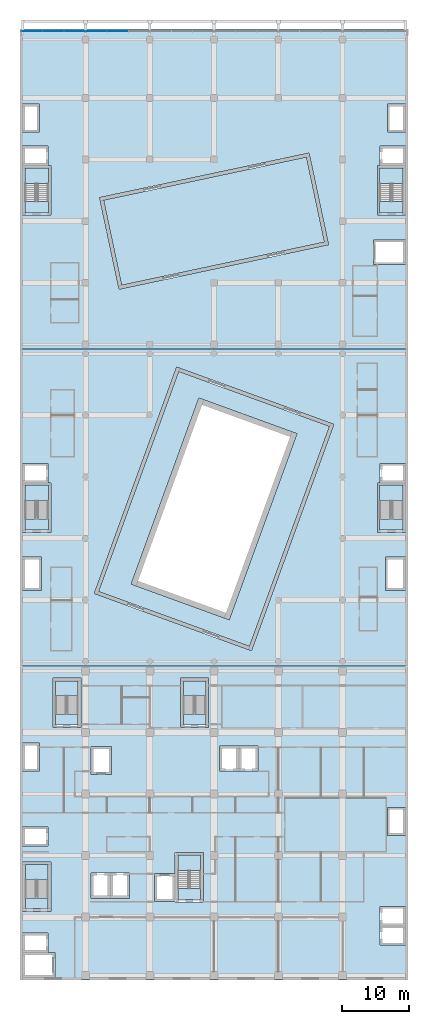
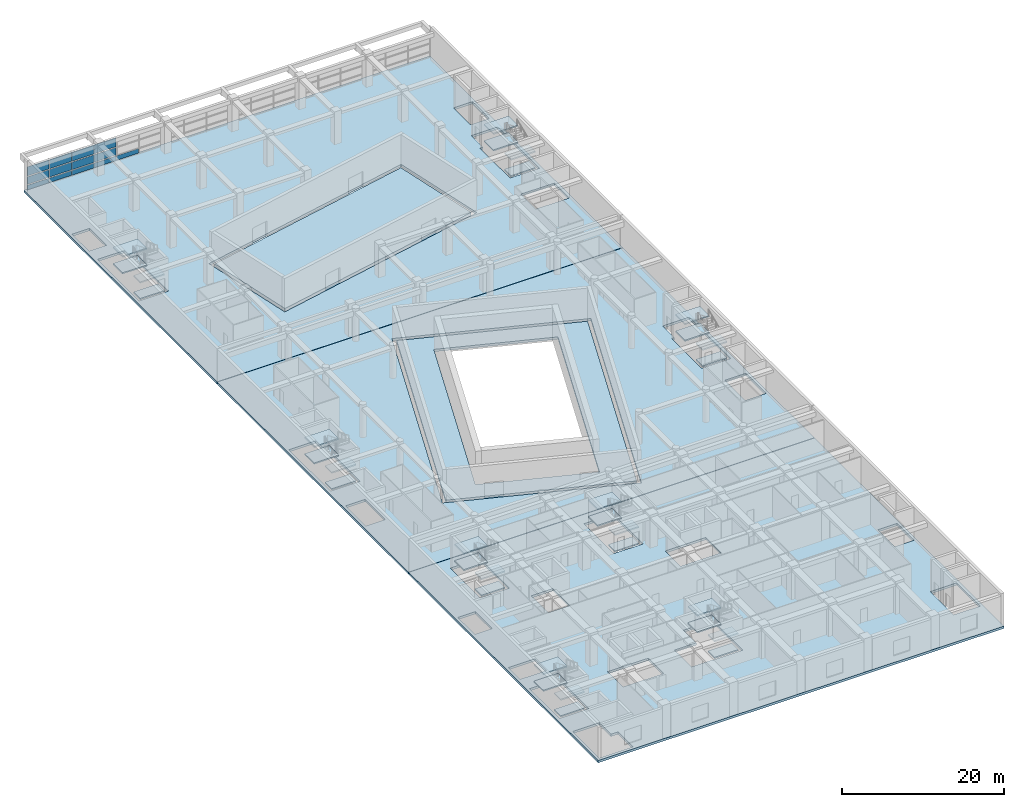
# One storey, part 7 of 31: 37 slabs, 13 plates, 9 elements without a shape of their own.
"""IFC4 building model written with IfcOpenShell, lengths in metres."""

from ifc_helpers import new_model, si_unit, direction, frame, origin, origin_2d, place, context, subcontext, project, spatial, polyline, rectangle, outline, extrude, material, layer, layer_set, type_object, element, aggregate, save


model = new_model("IFC4")

# Units and contexts
model_context = context("Model", 3, precision=1e-05, world=origin(), true_north=direction((0.0, 1.0)))
body_context = subcontext(model_context, "Body", "Model", "MODEL_VIEW")
ifc_project = project(units=[si_unit("LENGTHUNIT", "METRE"), si_unit("AREAUNIT", "SQUARE_METRE"), si_unit("VOLUMEUNIT", "CUBIC_METRE"), si_unit("PLANEANGLEUNIT", "RADIAN"), si_unit("MASSUNIT", "GRAM", prefix="KILO")], contexts=[model_context])

# Site, building, storey
site_placement = place(None, origin())
site = spatial("IfcSite", under=ifc_project, at=site_placement, CompositionType="ELEMENT")
building_placement = place(site_placement, origin())
building = spatial("IfcBuilding", under=site, at=building_placement, Name="Nzadi Deep Aquarium and Research Tower", CompositionType="ELEMENT")
storey_placement = place(building_placement, frame((0.0, 0.0, 21.699951171875)))
storey = spatial("IfcBuildingStorey", under=building, at=storey_placement, Name="L03", CompositionType="ELEMENT", Elevation=21.699951171875)

# Curtain wall, plates
ifc_material_1 = material(Name="Aluminium unitised frame tall span", Category="aluminium")
ifc_layer_1 = layer(ifc_material_1, 0.35009765625)
ifc_layer_set_1 = layer_set([ifc_layer_1], Name="Aluminium unitised frame tall span")
curtain_wall_type = type_object("IfcCurtainWallType", Name="Curtain wall Podium 350", PredefinedType="NOTDEFINED", material=ifc_layer_set_1)
curtain_wall_placement = place(storey_placement, origin())
curtain_wall = element("IfcCurtainWall", 1, at=curtain_wall_placement, inside=storey, type_object=curtain_wall_type, Name="North cascade curtain wall L03", PredefinedType="NOTDEFINED")
ifc_material_2 = material(Name="Glass, clear low-iron", Category="glass")
ifc_layer_2 = layer(ifc_material_2, 0.0400390625)
ifc_layer_set_2 = layer_set([ifc_layer_2], Name="Glass, clear low-iron")
plate_type_1 = type_object("IfcPlateType", Name="Glazing panel 40 Podium", PredefinedType="CURTAIN_PANEL", material=ifc_layer_set_2)
plate_1_placement = place(storey_placement, frame((1.614990234375, 141.574951171875, 0.97021484375), z_axis=(0.0, 0.0, 1.0), x_axis=(1.0, 0.0, 0.0)))
plate_1 = element("IfcPlate", 2, at=plate_1_placement, type_object=plate_type_1, Name="CW255 panel 1.2", PredefinedType="CURTAIN_PANEL", context=body_context, shape_type="SweptSolid", body=[
    extrude(rectangle(XDim=3.110107421875, YDim=0.0400390625, at=origin_2d()), origin(), (0.0, 0.0, 1.0), 1.135009765625),
])
plate_2_placement = place(storey_placement, frame((1.614990234375, 141.574951171875, 2.2451171875), z_axis=(0.0, 0.0, 1.0), x_axis=(1.0, 0.0, 0.0)))
plate_2 = element("IfcPlate", 3, at=plate_2_placement, type_object=plate_type_1, Name="CW255 panel 1.3", PredefinedType="CURTAIN_PANEL", context=body_context, shape_type="SweptSolid", body=[
    extrude(rectangle(XDim=3.110107421875, YDim=0.0400390625, at=origin_2d()), origin(), (0.0, 0.0, 1.0), 1.364990234375),
])
ifc_material_3 = material(Name="Glass, deep ocean tint", Category="glass")
ifc_layer_3 = layer(ifc_material_3, 0.0400390625)
ifc_layer_set_3 = layer_set([ifc_layer_3], Name="Glass, deep ocean tint")
plate_type_2 = type_object("IfcPlateType", Name="Glazing panel 40 Podium water-tinted", PredefinedType="CURTAIN_PANEL", material=ifc_layer_set_3)
plate_3_placement = place(storey_placement, frame((4.800048828125, 141.574951171875, 0.97021484375), z_axis=(0.0, 0.0, 1.0), x_axis=(1.0, 0.0, 0.0)))
plate_3 = element("IfcPlate", 4, at=plate_3_placement, type_object=plate_type_2, Name="CW255 panel 2.2", PredefinedType="CURTAIN_PANEL", context=body_context, shape_type="SweptSolid", body=[
    extrude(rectangle(XDim=3.139892578125, YDim=0.0400390625, at=origin_2d()), origin(), (0.0, 0.0, 1.0), 1.135009765625),
])
plate_4_placement = place(storey_placement, frame((4.800048828125, 141.574951171875, 2.2451171875), z_axis=(0.0, 0.0, 1.0), x_axis=(1.0, 0.0, 0.0)))
plate_4 = element("IfcPlate", 5, at=plate_4_placement, type_object=plate_type_2, Name="CW255 panel 2.3", PredefinedType="CURTAIN_PANEL", context=body_context, shape_type="SweptSolid", body=[
    extrude(rectangle(XDim=3.139892578125, YDim=0.0400390625, at=origin_2d()), origin(), (0.0, 0.0, 1.0), 1.364990234375),
])
plate_5_placement = place(storey_placement, frame((8.0, 141.574951171875, 0.97021484375), z_axis=(0.0, 0.0, 1.0), x_axis=(1.0, 0.0, 0.0)))
plate_5 = element("IfcPlate", 6, at=plate_5_placement, type_object=plate_type_2, Name="CW255 panel 3.2", PredefinedType="CURTAIN_PANEL", context=body_context, shape_type="SweptSolid", body=[
    extrude(rectangle(XDim=3.139892578125, YDim=0.0400390625, at=origin_2d()), origin(), (0.0, 0.0, 1.0), 1.135009765625),
])
plate_6_placement = place(storey_placement, frame((8.0, 141.574951171875, 2.2451171875), z_axis=(0.0, 0.0, 1.0), x_axis=(1.0, 0.0, 0.0)))
plate_6 = element("IfcPlate", 7, at=plate_6_placement, type_object=plate_type_2, Name="CW255 panel 3.3", PredefinedType="CURTAIN_PANEL", context=body_context, shape_type="SweptSolid", body=[
    extrude(rectangle(XDim=3.139892578125, YDim=0.0400390625, at=origin_2d()), origin(), (0.0, 0.0, 1.0), 1.364990234375),
])
plate_7_placement = place(storey_placement, frame((11.199951171875, 141.574951171875, 0.97021484375), z_axis=(0.0, 0.0, 1.0), x_axis=(1.0, 0.0, 0.0)))
plate_7 = element("IfcPlate", 8, at=plate_7_placement, type_object=plate_type_2, Name="CW255 panel 4.2", PredefinedType="CURTAIN_PANEL", context=body_context, shape_type="SweptSolid", body=[
    extrude(rectangle(XDim=3.139892578125, YDim=0.0400390625, at=origin_2d()), origin(), (0.0, 0.0, 1.0), 1.135009765625),
])
plate_8_placement = place(storey_placement, frame((11.199951171875, 141.574951171875, 2.2451171875), z_axis=(0.0, 0.0, 1.0), x_axis=(1.0, 0.0, 0.0)))
plate_8 = element("IfcPlate", 9, at=plate_8_placement, type_object=plate_type_2, Name="CW255 panel 4.3", PredefinedType="CURTAIN_PANEL", context=body_context, shape_type="SweptSolid", body=[
    extrude(rectangle(XDim=3.139892578125, YDim=0.0400390625, at=origin_2d()), origin(), (0.0, 0.0, 1.0), 1.364990234375),
])

# Stair, slabs
ifc_material_4 = material(Name="Concrete C35/45", Category="concrete")
stair_type = type_object("IfcStairType", Name="STAIR RETURN 3000", PredefinedType="NOTDEFINED", material=ifc_material_4)
stair_1_placement = place(storey_placement, origin())
stair_1 = element("IfcStair", 10, at=stair_1_placement, inside=storey, type_object=stair_type, Name="Stair ST-Z1-SW L03", PredefinedType="DOUBLE_RETURN_STAIR")
ifc_material_5 = material(Name="Concrete C35/45", Category="concrete")
ifc_layer_4 = layer(ifc_material_5, 0.199951171875)
ifc_layer_set_4 = layer_set([ifc_layer_4], Name="Concrete C35/45")
slab_type_1 = type_object("IfcSlabType", Name="LANDING 200", PredefinedType="LANDING", material=ifc_layer_set_4)
slab_1_placement = place(storey_placement, frame((0.0, 0.0, -0.199951171875)))
slab_1 = element("IfcSlab", 11, at=slab_1_placement, type_object=slab_type_1, Name="ST-Z1-SW landing 1", PredefinedType="LANDING", context=body_context, shape_type="SweptSolid", body=[
    extrude(outline(polyline([(0.60009765625, 10.449951171875), (4.0, 10.449951171875), (4.0, 12.070068359375), (0.60009765625, 12.070068359375), (0.60009765625, 10.449951171875)])), origin(), (0.0, 0.0, 1.0), 0.199951171875),
])
slab_2_placement = place(storey_placement, frame((0.0, 0.0, 1.050048828125)))
slab_2 = element("IfcSlab", 12, at=slab_2_placement, type_object=slab_type_1, Name="ST-Z1-SW landing 2", PredefinedType="LANDING", context=body_context, shape_type="SweptSolid", body=[
    extrude(outline(polyline([(0.60009765625, 14.77001953125), (4.0, 14.77001953125), (4.0, 17.050048828125), (0.60009765625, 17.050048828125), (0.60009765625, 14.77001953125)])), origin(), (0.0, 0.0, 1.0), 0.199951171875),
])
slab_3_placement = place(storey_placement, frame((0.0, 0.0, 2.300048828125)))
slab_3 = element("IfcSlab", 13, at=slab_3_placement, type_object=slab_type_1, Name="ST-Z1-SW landing 3", PredefinedType="LANDING", context=body_context, shape_type="SweptSolid", body=[
    extrude(outline(polyline([(0.60009765625, 10.449951171875), (4.0, 10.449951171875), (4.0, 12.070068359375), (0.60009765625, 12.070068359375), (0.60009765625, 10.449951171875)])), origin(), (0.0, 0.0, 1.0), 0.199951171875),
])
slab_4_placement = place(storey_placement, frame((0.0, 0.0, 3.550048828125)))
slab_4 = element("IfcSlab", 14, at=slab_4_placement, type_object=slab_type_1, Name="ST-Z1-SW landing 4", PredefinedType="LANDING", context=body_context, shape_type="SweptSolid", body=[
    extrude(outline(polyline([(0.60009765625, 14.77001953125), (4.0, 14.77001953125), (4.0, 17.050048828125), (0.60009765625, 17.050048828125), (0.60009765625, 14.77001953125)])), origin(), (0.0, 0.0, 1.0), 0.199951171875),
])
aggregate(stair_1, [slab_1, slab_2, slab_3, slab_4])

stair_2_placement = place(storey_placement, origin())
stair_2 = element("IfcStair", 15, at=stair_2_placement, inside=storey, type_object=stair_type, Name="Stair ST-Z1-SE L03", PredefinedType="DOUBLE_RETURN_STAIR")
slab_5_placement = place(storey_placement, frame((0.0, 0.0, -0.199951171875)))
slab_5 = element("IfcSlab", 16, at=slab_5_placement, type_object=slab_type_1, Name="ST-Z1-SE landing 1", PredefinedType="LANDING", context=body_context, shape_type="SweptSolid", body=[
    extrude(outline(polyline([(23.39990234375, 11.85009765625), (26.800048828125, 11.85009765625), (26.800048828125, 13.469970703125), (23.39990234375, 13.469970703125), (23.39990234375, 11.85009765625)])), origin(), (0.0, 0.0, 1.0), 0.199951171875),
])
slab_6_placement = place(storey_placement, frame((0.0, 0.0, 1.050048828125)))
slab_6 = element("IfcSlab", 17, at=slab_6_placement, type_object=slab_type_1, Name="ST-Z1-SE landing 2", PredefinedType="LANDING", context=body_context, shape_type="SweptSolid", body=[
    extrude(outline(polyline([(23.39990234375, 16.169921875), (26.800048828125, 16.169921875), (26.800048828125, 18.449951171875), (23.39990234375, 18.449951171875), (23.39990234375, 16.169921875)])), origin(), (0.0, 0.0, 1.0), 0.199951171875),
])
slab_7_placement = place(storey_placement, frame((0.0, 0.0, 2.300048828125)))
slab_7 = element("IfcSlab", 18, at=slab_7_placement, type_object=slab_type_1, Name="ST-Z1-SE landing 3", PredefinedType="LANDING", context=body_context, shape_type="SweptSolid", body=[
    extrude(outline(polyline([(23.39990234375, 11.85009765625), (26.800048828125, 11.85009765625), (26.800048828125, 13.469970703125), (23.39990234375, 13.469970703125), (23.39990234375, 11.85009765625)])), origin(), (0.0, 0.0, 1.0), 0.199951171875),
])
slab_8_placement = place(storey_placement, frame((0.0, 0.0, 3.550048828125)))
slab_8 = element("IfcSlab", 19, at=slab_8_placement, type_object=slab_type_1, Name="ST-Z1-SE landing 4", PredefinedType="LANDING", context=body_context, shape_type="SweptSolid", body=[
    extrude(outline(polyline([(23.39990234375, 16.169921875), (26.800048828125, 16.169921875), (26.800048828125, 18.449951171875), (23.39990234375, 18.449951171875), (23.39990234375, 16.169921875)])), origin(), (0.0, 0.0, 1.0), 0.199951171875),
])
aggregate(stair_2, [slab_5, slab_6, slab_7, slab_8])

stair_3_placement = place(storey_placement, origin())
stair_3 = element("IfcStair", 20, at=stair_3_placement, inside=storey, type_object=stair_type, Name="Stair ST-Z1-NW L03", PredefinedType="DOUBLE_RETURN_STAIR")
slab_9_placement = place(storey_placement, frame((0.0, 0.0, -0.199951171875)))
slab_9 = element("IfcSlab", 21, at=slab_9_placement, type_object=slab_type_1, Name="ST-Z1-NW landing 1", PredefinedType="LANDING", context=body_context, shape_type="SweptSolid", body=[
    extrude(outline(polyline([(5.10009765625, 37.89990234375), (8.5, 37.89990234375), (8.5, 39.52001953125), (5.10009765625, 39.52001953125), (5.10009765625, 37.89990234375)])), origin(), (0.0, 0.0, 1.0), 0.199951171875),
])
slab_10_placement = place(storey_placement, frame((0.0, 0.0, 1.050048828125)))
slab_10 = element("IfcSlab", 22, at=slab_10_placement, type_object=slab_type_1, Name="ST-Z1-NW landing 2", PredefinedType="LANDING", context=body_context, shape_type="SweptSolid", body=[
    extrude(outline(polyline([(5.10009765625, 42.219970703125), (8.5, 42.219970703125), (8.5, 44.5), (5.10009765625, 44.5), (5.10009765625, 42.219970703125)])), origin(), (0.0, 0.0, 1.0), 0.199951171875),
])
slab_11_placement = place(storey_placement, frame((0.0, 0.0, 2.300048828125)))
slab_11 = element("IfcSlab", 23, at=slab_11_placement, type_object=slab_type_1, Name="ST-Z1-NW landing 3", PredefinedType="LANDING", context=body_context, shape_type="SweptSolid", body=[
    extrude(outline(polyline([(5.10009765625, 37.89990234375), (8.5, 37.89990234375), (8.5, 39.52001953125), (5.10009765625, 39.52001953125), (5.10009765625, 37.89990234375)])), origin(), (0.0, 0.0, 1.0), 0.199951171875),
])
slab_12_placement = place(storey_placement, frame((0.0, 0.0, 3.550048828125)))
slab_12 = element("IfcSlab", 24, at=slab_12_placement, type_object=slab_type_1, Name="ST-Z1-NW landing 4", PredefinedType="LANDING", context=body_context, shape_type="SweptSolid", body=[
    extrude(outline(polyline([(5.10009765625, 42.219970703125), (8.5, 42.219970703125), (8.5, 44.5), (5.10009765625, 44.5), (5.10009765625, 42.219970703125)])), origin(), (0.0, 0.0, 1.0), 0.199951171875),
])
aggregate(stair_3, [slab_9, slab_10, slab_11, slab_12])

stair_4_placement = place(storey_placement, origin())
stair_4 = element("IfcStair", 25, at=stair_4_placement, inside=storey, type_object=stair_type, Name="Stair ST-Z1-NE L03", PredefinedType="DOUBLE_RETURN_STAIR")
slab_13_placement = place(storey_placement, frame((0.0, 0.0, -0.199951171875)))
slab_13 = element("IfcSlab", 26, at=slab_13_placement, type_object=slab_type_1, Name="ST-Z1-NE landing 1", PredefinedType="LANDING", context=body_context, shape_type="SweptSolid", body=[
    extrude(outline(polyline([(24.199951171875, 37.89990234375), (27.60009765625, 37.89990234375), (27.60009765625, 39.52001953125), (24.199951171875, 39.52001953125), (24.199951171875, 37.89990234375)])), origin(), (0.0, 0.0, 1.0), 0.199951171875),
])
slab_14_placement = place(storey_placement, frame((0.0, 0.0, 1.050048828125)))
slab_14 = element("IfcSlab", 27, at=slab_14_placement, type_object=slab_type_1, Name="ST-Z1-NE landing 2", PredefinedType="LANDING", context=body_context, shape_type="SweptSolid", body=[
    extrude(outline(polyline([(24.199951171875, 42.219970703125), (27.60009765625, 42.219970703125), (27.60009765625, 44.5), (24.199951171875, 44.5), (24.199951171875, 42.219970703125)])), origin(), (0.0, 0.0, 1.0), 0.199951171875),
])
slab_15_placement = place(storey_placement, frame((0.0, 0.0, 2.300048828125)))
slab_15 = element("IfcSlab", 28, at=slab_15_placement, type_object=slab_type_1, Name="ST-Z1-NE landing 3", PredefinedType="LANDING", context=body_context, shape_type="SweptSolid", body=[
    extrude(outline(polyline([(24.199951171875, 37.89990234375), (27.60009765625, 37.89990234375), (27.60009765625, 39.52001953125), (24.199951171875, 39.52001953125), (24.199951171875, 37.89990234375)])), origin(), (0.0, 0.0, 1.0), 0.199951171875),
])
slab_16_placement = place(storey_placement, frame((0.0, 0.0, 3.550048828125)))
slab_16 = element("IfcSlab", 29, at=slab_16_placement, type_object=slab_type_1, Name="ST-Z1-NE landing 4", PredefinedType="LANDING", context=body_context, shape_type="SweptSolid", body=[
    extrude(outline(polyline([(24.199951171875, 42.219970703125), (27.60009765625, 42.219970703125), (27.60009765625, 44.5), (24.199951171875, 44.5), (24.199951171875, 42.219970703125)])), origin(), (0.0, 0.0, 1.0), 0.199951171875),
])
aggregate(stair_4, [slab_13, slab_14, slab_15, slab_16])

stair_5_placement = place(storey_placement, origin())
stair_5 = element("IfcStair", 30, at=stair_5_placement, inside=storey, type_object=stair_type, Name="Stair ST-Z2-W L03", PredefinedType="DOUBLE_RETURN_STAIR")
slab_17_placement = place(storey_placement, frame((0.0, 0.0, -0.199951171875)))
slab_17 = element("IfcSlab", 31, at=slab_17_placement, type_object=slab_type_1, Name="ST-Z2-W landing 1", PredefinedType="LANDING", context=body_context, shape_type="SweptSolid", body=[
    extrude(outline(polyline([(0.550048828125, 67.050048828125), (4.050048828125, 67.050048828125), (4.050048828125, 68.7099609375), (0.550048828125, 68.7099609375), (0.550048828125, 67.050048828125)])), origin(), (0.0, 0.0, 1.0), 0.199951171875),
])
slab_18_placement = place(storey_placement, frame((0.0, 0.0, 1.050048828125)))
slab_18 = element("IfcSlab", 32, at=slab_18_placement, type_object=slab_type_1, Name="ST-Z2-W landing 2", PredefinedType="LANDING", context=body_context, shape_type="SweptSolid", body=[
    extrude(outline(polyline([(0.550048828125, 71.409912109375), (4.050048828125, 71.409912109375), (4.050048828125, 73.75), (0.550048828125, 73.75), (0.550048828125, 71.409912109375)])), origin(), (0.0, 0.0, 1.0), 0.199951171875),
])
slab_19_placement = place(storey_placement, frame((0.0, 0.0, 2.300048828125)))
slab_19 = element("IfcSlab", 33, at=slab_19_placement, type_object=slab_type_1, Name="ST-Z2-W landing 3", PredefinedType="LANDING", context=body_context, shape_type="SweptSolid", body=[
    extrude(outline(polyline([(0.550048828125, 67.050048828125), (4.050048828125, 67.050048828125), (4.050048828125, 68.7099609375), (0.550048828125, 68.7099609375), (0.550048828125, 67.050048828125)])), origin(), (0.0, 0.0, 1.0), 0.199951171875),
])
slab_20_placement = place(storey_placement, frame((0.0, 0.0, 3.550048828125)))
slab_20 = element("IfcSlab", 34, at=slab_20_placement, type_object=slab_type_1, Name="ST-Z2-W landing 4", PredefinedType="LANDING", context=body_context, shape_type="SweptSolid", body=[
    extrude(outline(polyline([(0.550048828125, 71.409912109375), (4.050048828125, 71.409912109375), (4.050048828125, 73.75), (0.550048828125, 73.75), (0.550048828125, 71.409912109375)])), origin(), (0.0, 0.0, 1.0), 0.199951171875),
])
aggregate(stair_5, [slab_17, slab_18, slab_19, slab_20])

stair_6_placement = place(storey_placement, origin())
stair_6 = element("IfcStair", 35, at=stair_6_placement, inside=storey, type_object=stair_type, Name="Stair ST-Z2-E L03", PredefinedType="DOUBLE_RETURN_STAIR")
slab_21_placement = place(storey_placement, frame((0.0, 0.0, -0.199951171875)))
slab_21 = element("IfcSlab", 36, at=slab_21_placement, type_object=slab_type_1, Name="ST-Z2-E landing 1", PredefinedType="LANDING", context=body_context, shape_type="SweptSolid", body=[
    extrude(outline(polyline([(57.050048828125, 68.7099609375), (53.550048828125, 68.7099609375), (53.550048828125, 67.050048828125), (57.050048828125, 67.050048828125), (57.050048828125, 68.7099609375)])), origin(), (0.0, 0.0, 1.0), 0.199951171875),
])
slab_22_placement = place(storey_placement, frame((0.0, 0.0, 1.050048828125)))
slab_22 = element("IfcSlab", 37, at=slab_22_placement, type_object=slab_type_1, Name="ST-Z2-E landing 2", PredefinedType="LANDING", context=body_context, shape_type="SweptSolid", body=[
    extrude(outline(polyline([(57.050048828125, 73.75), (53.550048828125, 73.75), (53.550048828125, 71.409912109375), (57.050048828125, 71.409912109375), (57.050048828125, 73.75)])), origin(), (0.0, 0.0, 1.0), 0.199951171875),
])
slab_23_placement = place(storey_placement, frame((0.0, 0.0, 2.300048828125)))
slab_23 = element("IfcSlab", 38, at=slab_23_placement, type_object=slab_type_1, Name="ST-Z2-E landing 3", PredefinedType="LANDING", context=body_context, shape_type="SweptSolid", body=[
    extrude(outline(polyline([(57.050048828125, 68.7099609375), (53.550048828125, 68.7099609375), (53.550048828125, 67.050048828125), (57.050048828125, 67.050048828125), (57.050048828125, 68.7099609375)])), origin(), (0.0, 0.0, 1.0), 0.199951171875),
])
slab_24_placement = place(storey_placement, frame((0.0, 0.0, 3.550048828125)))
slab_24 = element("IfcSlab", 39, at=slab_24_placement, type_object=slab_type_1, Name="ST-Z2-E landing 4", PredefinedType="LANDING", context=body_context, shape_type="SweptSolid", body=[
    extrude(outline(polyline([(57.050048828125, 73.75), (53.550048828125, 73.75), (53.550048828125, 71.409912109375), (57.050048828125, 71.409912109375), (57.050048828125, 73.75)])), origin(), (0.0, 0.0, 1.0), 0.199951171875),
])
aggregate(stair_6, [slab_21, slab_22, slab_23, slab_24])

stair_7_placement = place(storey_placement, origin())
stair_7 = element("IfcStair", 40, at=stair_7_placement, inside=storey, type_object=stair_type, Name="Stair ST-Z3-W L03", PredefinedType="DOUBLE_RETURN_STAIR")
slab_25_placement = place(storey_placement, frame((0.0, 0.0, -0.199951171875)))
slab_25 = element("IfcSlab", 41, at=slab_25_placement, type_object=slab_type_1, Name="ST-Z3-W landing 1", PredefinedType="LANDING", context=body_context, shape_type="SweptSolid", body=[
    extrude(outline(polyline([(0.550048828125, 114.449951171875), (4.050048828125, 114.449951171875), (4.050048828125, 116.110107421875), (0.550048828125, 116.110107421875), (0.550048828125, 114.449951171875)])), origin(), (0.0, 0.0, 1.0), 0.199951171875),
])
slab_26_placement = place(storey_placement, frame((0.0, 0.0, 1.050048828125)))
slab_26 = element("IfcSlab", 42, at=slab_26_placement, type_object=slab_type_1, Name="ST-Z3-W landing 2", PredefinedType="LANDING", context=body_context, shape_type="SweptSolid", body=[
    extrude(outline(polyline([(0.550048828125, 118.81005859375), (4.050048828125, 118.81005859375), (4.050048828125, 121.14990234375), (0.550048828125, 121.14990234375), (0.550048828125, 118.81005859375)])), origin(), (0.0, 0.0, 1.0), 0.199951171875),
])
slab_27_placement = place(storey_placement, frame((0.0, 0.0, 2.300048828125)))
slab_27 = element("IfcSlab", 43, at=slab_27_placement, type_object=slab_type_1, Name="ST-Z3-W landing 3", PredefinedType="LANDING", context=body_context, shape_type="SweptSolid", body=[
    extrude(outline(polyline([(0.550048828125, 114.449951171875), (4.050048828125, 114.449951171875), (4.050048828125, 116.110107421875), (0.550048828125, 116.110107421875), (0.550048828125, 114.449951171875)])), origin(), (0.0, 0.0, 1.0), 0.199951171875),
])
slab_28_placement = place(storey_placement, frame((0.0, 0.0, 3.550048828125)))
slab_28 = element("IfcSlab", 44, at=slab_28_placement, type_object=slab_type_1, Name="ST-Z3-W landing 4", PredefinedType="LANDING", context=body_context, shape_type="SweptSolid", body=[
    extrude(outline(polyline([(0.550048828125, 118.81005859375), (4.050048828125, 118.81005859375), (4.050048828125, 121.14990234375), (0.550048828125, 121.14990234375), (0.550048828125, 118.81005859375)])), origin(), (0.0, 0.0, 1.0), 0.199951171875),
])
aggregate(stair_7, [slab_25, slab_26, slab_27, slab_28])

stair_8_placement = place(storey_placement, origin())
stair_8 = element("IfcStair", 45, at=stair_8_placement, inside=storey, type_object=stair_type, Name="Stair ST-Z3-E L03", PredefinedType="DOUBLE_RETURN_STAIR")
slab_29_placement = place(storey_placement, frame((0.0, 0.0, -0.199951171875)))
slab_29 = element("IfcSlab", 46, at=slab_29_placement, type_object=slab_type_1, Name="ST-Z3-E landing 1", PredefinedType="LANDING", context=body_context, shape_type="SweptSolid", body=[
    extrude(outline(polyline([(57.050048828125, 116.110107421875), (53.550048828125, 116.110107421875), (53.550048828125, 114.449951171875), (57.050048828125, 114.449951171875), (57.050048828125, 116.110107421875)])), origin(), (0.0, 0.0, 1.0), 0.199951171875),
])
slab_30_placement = place(storey_placement, frame((0.0, 0.0, 1.050048828125)))
slab_30 = element("IfcSlab", 47, at=slab_30_placement, type_object=slab_type_1, Name="ST-Z3-E landing 2", PredefinedType="LANDING", context=body_context, shape_type="SweptSolid", body=[
    extrude(outline(polyline([(57.050048828125, 121.14990234375), (53.550048828125, 121.14990234375), (53.550048828125, 118.81005859375), (57.050048828125, 118.81005859375), (57.050048828125, 121.14990234375)])), origin(), (0.0, 0.0, 1.0), 0.199951171875),
])
slab_31_placement = place(storey_placement, frame((0.0, 0.0, 2.300048828125)))
slab_31 = element("IfcSlab", 48, at=slab_31_placement, type_object=slab_type_1, Name="ST-Z3-E landing 3", PredefinedType="LANDING", context=body_context, shape_type="SweptSolid", body=[
    extrude(outline(polyline([(57.050048828125, 116.110107421875), (53.550048828125, 116.110107421875), (53.550048828125, 114.449951171875), (57.050048828125, 114.449951171875), (57.050048828125, 116.110107421875)])), origin(), (0.0, 0.0, 1.0), 0.199951171875),
])
slab_32_placement = place(storey_placement, frame((0.0, 0.0, 3.550048828125)))
slab_32 = element("IfcSlab", 49, at=slab_32_placement, type_object=slab_type_1, Name="ST-Z3-E landing 4", PredefinedType="LANDING", context=body_context, shape_type="SweptSolid", body=[
    extrude(outline(polyline([(57.050048828125, 121.14990234375), (53.550048828125, 121.14990234375), (53.550048828125, 118.81005859375), (57.050048828125, 118.81005859375), (57.050048828125, 121.14990234375)])), origin(), (0.0, 0.0, 1.0), 0.199951171875),
])
aggregate(stair_8, [slab_29, slab_30, slab_31, slab_32])

# Slabs
ifc_material_6 = material(Name="Concrete C35/45", Category="concrete")
ifc_layer_5 = layer(ifc_material_6, 0.35009765625)
ifc_layer_set_5 = layer_set([ifc_layer_5], Name="Concrete C35/45")
slab_type_2 = type_object("IfcSlabType", Name="RC floor slab 350", PredefinedType="FLOOR", material=ifc_layer_set_5)
slab_33_placement = place(storey_placement, frame((0.0, 0.0, -0.349853515625)))
element("IfcSlab", 50, at=slab_33_placement, inside=storey, type_object=slab_type_2, Name="Floor slab Z1 L03", PredefinedType="FLOOR", context=body_context, shape_type="SweptSolid", body=[
    extrude(outline(polyline([(-0.199462890625, -0.199951171875), (57.799560546875, -0.199951171875), (57.799560546875, 46.679931640625), (-0.199462890625, 46.679931640625), (-0.199462890625, -0.199951171875)]), holes=[polyline([(4.39990234375, 17.449951171875), (4.39990234375, 10.050048828125), (0.199951171875, 10.050048828125), (0.199951171875, 17.449951171875), (4.39990234375, 17.449951171875)]), polyline([(19.89990234375, 15.699951171875), (23.0, 15.699951171875), (23.0, 18.85009765625), (27.199951171875, 18.85009765625), (27.199951171875, 11.449951171875), (23.0, 11.449951171875), (23.0, 11.5), (19.89990234375, 11.5), (19.89990234375, 15.699951171875)]), polyline([(4.699951171875, 37.5), (4.699951171875, 44.89990234375), (8.89990234375, 44.89990234375), (8.89990234375, 37.5), (4.699951171875, 37.5)]), polyline([(23.800048828125, 44.89990234375), (28.0, 44.89990234375), (28.0, 37.5), (23.800048828125, 37.5), (23.800048828125, 44.89990234375)]), polyline([(0.199951171875, 0.199951171875), (0.199951171875, 3.89990234375), (0.199951171875, 6.800048828125), (4.0, 6.800048828125), (4.0, 3.89990234375), (5.0, 3.89990234375), (5.0, 0.199951171875), (0.199951171875, 0.199951171875)]), polyline([(0.199951171875, 19.800048828125), (0.199951171875, 22.699951171875), (4.0, 22.699951171875), (4.0, 19.800048828125), (0.199951171875, 19.800048828125)]), polyline([(57.39990234375, 7.89990234375), (57.39990234375, 5.0), (53.60009765625, 5.0), (53.60009765625, 7.89990234375), (53.60009765625, 10.800048828125), (57.39990234375, 10.800048828125), (57.39990234375, 7.89990234375)]), polyline([(2.699951171875, 31.0), (0.199951171875, 31.0), (0.199951171875, 35.199951171875), (2.699951171875, 35.199951171875), (2.699951171875, 31.0)]), polyline([(54.699951171875, 21.39990234375), (54.699951171875, 25.60009765625), (57.39990234375, 25.60009765625), (57.39990234375, 21.39990234375), (54.699951171875, 21.39990234375)]), polyline([(16.199951171875, 15.800048828125), (16.199951171875, 12.0), (13.300048828125, 12.0), (10.39990234375, 12.0), (10.39990234375, 15.800048828125), (13.300048828125, 15.800048828125), (16.199951171875, 15.800048828125)]), polyline([(10.39990234375, 30.5), (10.39990234375, 34.699951171875), (13.5, 34.699951171875), (13.5, 30.5), (10.39990234375, 30.5)]), polyline([(29.60009765625, 34.800048828125), (32.5, 34.800048828125), (35.39990234375, 34.800048828125), (35.39990234375, 31.0), (32.5, 31.0), (29.60009765625, 31.0), (29.60009765625, 34.800048828125)])]), origin(), (0.0, 0.0, 1.0), 0.349853515625),
])
slab_34_placement = place(storey_placement, frame((0.0, 0.0, -0.349853515625)))
element("IfcSlab", 51, at=slab_34_placement, inside=storey, type_object=slab_type_2, Name="Floor slab Z2 L03", PredefinedType="FLOOR", context=body_context, shape_type="SweptSolid", body=[
    extrude(outline(polyline([(57.799560546875, 94.080078125), (-0.199462890625, 94.080078125), (-0.199462890625, 46.719970703125), (57.799560546875, 46.719970703125), (57.799560546875, 94.080078125)]), holes=[polyline([(4.0, 77.0), (4.0, 74.10009765625), (4.39990234375, 74.10009765625), (4.39990234375, 66.699951171875), (0.199951171875, 66.699951171875), (0.199951171875, 74.10009765625), (0.199951171875, 77.0), (4.0, 77.0)]), polyline([(57.39990234375, 77.0), (57.39990234375, 74.10009765625), (57.39990234375, 66.699951171875), (53.199951171875, 66.699951171875), (53.199951171875, 74.10009765625), (53.60009765625, 74.10009765625), (53.60009765625, 77.0), (57.39990234375, 77.0)]), polyline([(0.199951171875, 58.0), (0.199951171875, 63.0), (3.0, 63.0), (3.0, 58.0), (0.199951171875, 58.0)]), polyline([(54.39990234375, 63.0), (57.39990234375, 63.0), (57.39990234375, 58.0), (54.39990234375, 58.0), (54.39990234375, 63.0)]), polyline([(34.389892578125, 49.01025390625), (10.8974609375, 57.560791015625), (23.210205078125, 91.3896484375), (46.70263671875, 82.839111328125), (34.389892578125, 49.01025390625)])]), origin(), (0.0, 0.0, 1.0), 0.349853515625),
])
slab_35_placement = place(storey_placement, frame((0.0, 0.0, -0.349853515625)))
element("IfcSlab", 52, at=slab_35_placement, inside=storey, type_object=slab_type_2, Name="Floor slab Z3 L03", PredefinedType="FLOOR", context=body_context, shape_type="SweptSolid", body=[
    extrude(outline(polyline([(57.799560546875, 94.1201171875), (57.799560546875, 141.89990234375), (-0.199462890625, 141.89990234375), (-0.199462890625, 94.1201171875), (57.799560546875, 94.1201171875)]), holes=[polyline([(0.199951171875, 124.39990234375), (4.0, 124.39990234375), (4.0, 121.5), (4.39990234375, 121.5), (4.39990234375, 114.10009765625), (0.199951171875, 114.10009765625), (0.199951171875, 121.5), (0.199951171875, 124.39990234375)]), polyline([(53.60009765625, 124.39990234375), (57.39990234375, 124.39990234375), (57.39990234375, 121.5), (57.39990234375, 114.10009765625), (53.199951171875, 114.10009765625), (53.199951171875, 121.5), (53.60009765625, 121.5), (53.60009765625, 124.39990234375)]), polyline([(57.39990234375, 106.699951171875), (52.60009765625, 106.699951171875), (52.60009765625, 110.39990234375), (57.39990234375, 110.39990234375), (57.39990234375, 106.699951171875)]), polyline([(0.199951171875, 126.5), (0.199951171875, 130.699951171875), (2.699951171875, 130.699951171875), (2.699951171875, 126.5), (0.199951171875, 126.5)]), polyline([(54.699951171875, 130.699951171875), (57.39990234375, 130.699951171875), (57.39990234375, 126.5), (54.699951171875, 126.5), (54.699951171875, 130.699951171875)]), polyline([(45.90576171875, 109.679443359375), (14.60498046875, 103.0263671875), (11.6943359375, 116.720458984375), (42.994873046875, 123.37353515625), (45.90576171875, 109.679443359375)])]), origin(), (0.0, 0.0, 1.0), 0.349853515625),
])
ifc_material_7 = material(Name="Concrete C40/50", Category="concrete")
ifc_layer_6 = layer(ifc_material_7, 0.35009765625)
ifc_layer_set_6 = layer_set([ifc_layer_6], Name="Concrete C40/50")
slab_type_3 = type_object("IfcSlabType", Name="RC floor slab 350 C40/50", PredefinedType="FLOOR", material=ifc_layer_set_6)
slab_36_placement = place(storey_placement, frame((0.0, 0.0, -0.349853515625)))
element("IfcSlab", 53, at=slab_36_placement, inside=storey, type_object=slab_type_3, Name="Viewing ring L03", PredefinedType="FLOOR", context=body_context, shape_type="SweptSolid", body=[
    extrude(outline(polyline([(23.509033203125, 90.748779296875), (11.538330078125, 57.859619140625), (34.091064453125, 49.651123046875), (46.061767578125, 82.540283203125), (23.509033203125, 90.748779296875)]), holes=[polyline([(31.067626953125, 53.624755859375), (16.408447265625, 58.960205078125), (26.5322265625, 86.775146484375), (41.19140625, 81.439697265625), (31.067626953125, 53.624755859375)])]), origin(), (0.0, 0.0, 1.0), 0.349853515625),
])
ifc_material_8 = material(Name="Concrete C35/45", Category="concrete")
ifc_layer_7 = layer(ifc_material_8, 0.5)
ifc_layer_set_7 = layer_set([ifc_layer_7], Name="Concrete C35/45")
slab_type_4 = type_object("IfcSlabType", Name="RC floor slab 500", PredefinedType="FLOOR", material=ifc_layer_set_7)
slab_37_placement = place(storey_placement, frame((0.0, 0.0, -0.5)))
element("IfcSlab", 54, at=slab_37_placement, inside=storey, type_object=slab_type_4, Name="Blade floor L03", PredefinedType="FLOOR", context=body_context, shape_type="SweptSolid", body=[
    extrude(outline(polyline([(14.990234375, 103.619384765625), (45.312744140625, 110.064697265625), (42.60986328125, 122.780517578125), (12.287353515625, 116.33544921875), (14.990234375, 103.619384765625)])), origin(), (0.0, 0.0, 1.0), 0.5),
])

# Plate
ifc_material_9 = material(Name="Glass spandrel, enamelled", Category="glass")
ifc_layer_8 = layer(ifc_material_9, 0.0400390625)
ifc_layer_set_8 = layer_set([ifc_layer_8], Name="Glass spandrel, enamelled")
plate_type_3 = type_object("IfcPlateType", Name="Spandrel panel 40 Podium", PredefinedType="CURTAIN_PANEL", material=ifc_layer_set_8)
plate_9_placement = place(storey_placement, frame((1.614990234375, 141.574951171875, 0.14013671875), z_axis=(0.0, 0.0, 1.0), x_axis=(1.0, 0.0, 0.0)))
plate_9 = element("IfcPlate", 55, at=plate_9_placement, type_object=plate_type_3, Name="CW255 panel 1.1", PredefinedType="CURTAIN_PANEL", context=body_context, shape_type="SweptSolid", body=[
    extrude(rectangle(XDim=3.110107421875, YDim=0.0400390625, at=origin_2d()), origin(), (0.0, 0.0, 1.0), 0.68994140625),
])

plate_10_placement = place(storey_placement, frame((4.800048828125, 141.574951171875, 0.14013671875), z_axis=(0.0, 0.0, 1.0), x_axis=(1.0, 0.0, 0.0)))
plate_10 = element("IfcPlate", 56, at=plate_10_placement, type_object=plate_type_3, Name="CW255 panel 2.1", PredefinedType="CURTAIN_PANEL", context=body_context, shape_type="SweptSolid", body=[
    extrude(rectangle(XDim=3.139892578125, YDim=0.0400390625, at=origin_2d()), origin(), (0.0, 0.0, 1.0), 0.68994140625),
])

plate_11_placement = place(storey_placement, frame((8.0, 141.574951171875, 0.14013671875), z_axis=(0.0, 0.0, 1.0), x_axis=(1.0, 0.0, 0.0)))
plate_11 = element("IfcPlate", 57, at=plate_11_placement, type_object=plate_type_3, Name="CW255 panel 3.1", PredefinedType="CURTAIN_PANEL", context=body_context, shape_type="SweptSolid", body=[
    extrude(rectangle(XDim=3.139892578125, YDim=0.0400390625, at=origin_2d()), origin(), (0.0, 0.0, 1.0), 0.68994140625),
])

plate_12_placement = place(storey_placement, frame((11.199951171875, 141.574951171875, 0.14013671875), z_axis=(0.0, 0.0, 1.0), x_axis=(1.0, 0.0, 0.0)))
plate_12 = element("IfcPlate", 58, at=plate_12_placement, type_object=plate_type_3, Name="CW255 panel 4.1", PredefinedType="CURTAIN_PANEL", context=body_context, shape_type="SweptSolid", body=[
    extrude(rectangle(XDim=3.139892578125, YDim=0.0400390625, at=origin_2d()), origin(), (0.0, 0.0, 1.0), 0.68994140625),
])

plate_13_placement = place(storey_placement, frame((14.39990234375, 141.574951171875, 0.14013671875), z_axis=(0.0, 0.0, 1.0), x_axis=(1.0, 0.0, 0.0)))
plate_13 = element("IfcPlate", 59, at=plate_13_placement, type_object=plate_type_3, Name="CW255 panel 5.1", PredefinedType="CURTAIN_PANEL", context=body_context, shape_type="SweptSolid", body=[
    extrude(rectangle(XDim=3.139892578125, YDim=0.0400390625, at=origin_2d()), origin(), (0.0, 0.0, 1.0), 0.68994140625),
])

aggregate(curtain_wall, [plate_9, plate_1, plate_2, plate_10, plate_3, plate_4, plate_11, plate_5, plate_6, plate_12, plate_7, plate_8, plate_13])

save(model, "model.ifc")
